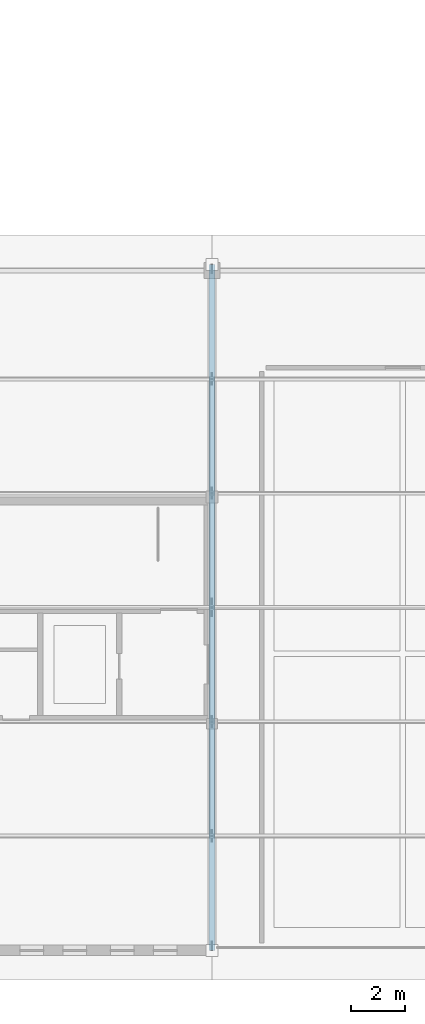
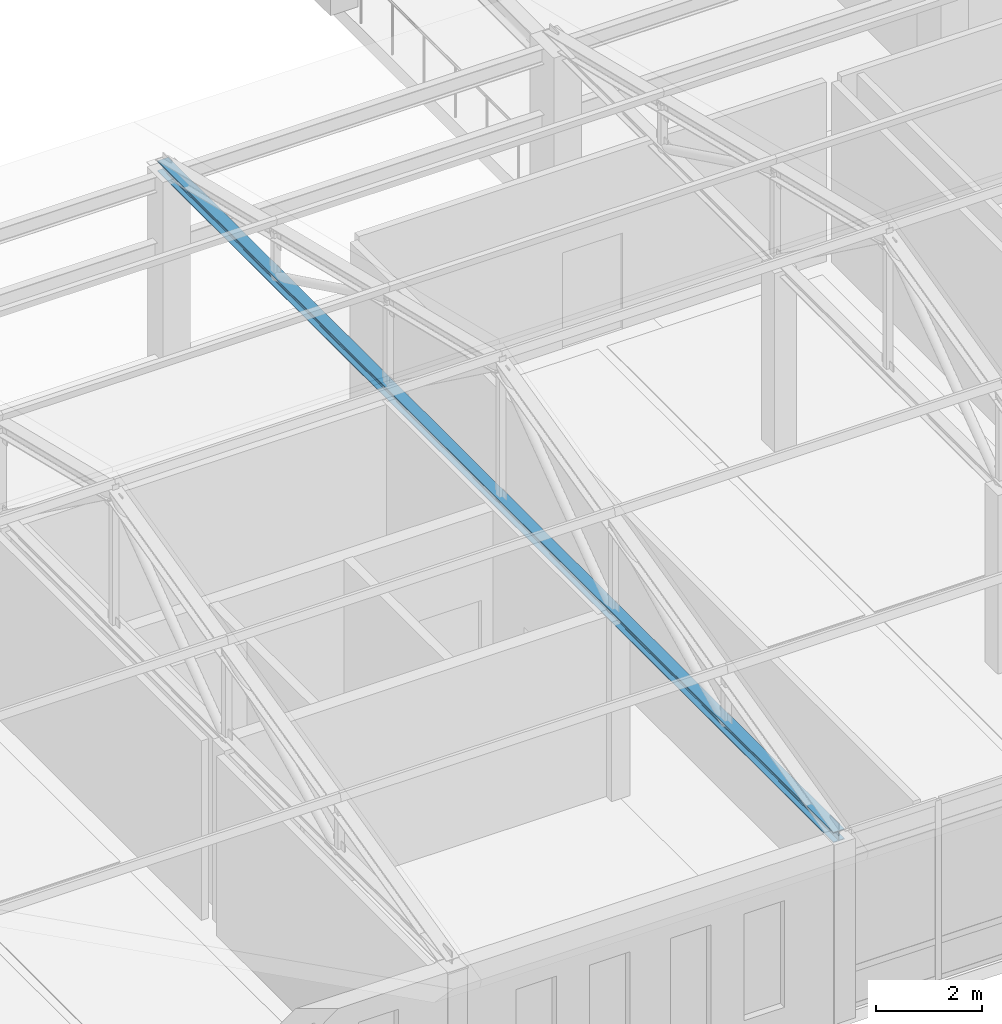
# One storey, part 19 of 192: 1 member.
"""IFC4 building model written with IfcOpenShell, lengths in metres."""

from ifc_helpers import new_model, si_unit, direction, frame, origin, origin_2d, place, context, subcontext, project, spatial, i_section, extrude, material, material_profile, profile_set, type_object, element, save


model = new_model("IFC4")

# Units and contexts
model_context = context("Model", 3, precision=1e-05, world=origin(), true_north=direction((0.0, 1.0)))
body_context = subcontext(model_context, "Body", "Model", "MODEL_VIEW")
ifc_project = project(units=[si_unit("LENGTHUNIT", "METRE"), si_unit("AREAUNIT", "SQUARE_METRE"), si_unit("VOLUMEUNIT", "CUBIC_METRE"), si_unit("PLANEANGLEUNIT", "RADIAN"), si_unit("MASSUNIT", "GRAM", prefix="KILO")], contexts=[model_context])

# Site, building, storey
site_placement = place(None, origin())
site = spatial("IfcSite", under=ifc_project, at=site_placement, CompositionType="ELEMENT")
building_placement = place(site_placement, origin())
building = spatial("IfcBuilding", under=site, at=building_placement, Name="Kveldsbrygga Polytechnic", CompositionType="ELEMENT")
storey_placement = place(building_placement, frame((0.0, 0.0, 5.43994140625)))
storey = spatial("IfcBuildingStorey", under=building, at=storey_placement, Name="L01", CompositionType="ELEMENT", Elevation=5.43994140625)

# Member
ifc_material = material(Name="Steel S355", Category="steel")
ifc_material_profile = material_profile(ifc_material, i_section(OverallWidth=0.239990234375, OverallDepth=0.239990234375, WebThickness=0.010009765625, FlangeThickness=0.01708984375, FilletRadius=0.02099609375, at=origin_2d()), Name="HEB 240")
ifc_profile_set = profile_set([ifc_material_profile], Name="Steel S355")
member_type = type_object("IfcMemberType", Name="TR-BOT-HEB240", PredefinedType="CHORD", material=ifc_profile_set)
member_placement = place(storey_placement, frame((16.800048828125, 0.0, 4.1201171875), z_axis=(0.0, 1.0, 0.0), x_axis=(-1.0, 0.0, 0.0)))
element("IfcMember", 1, at=member_placement, inside=storey, type_object=member_type, Name="Truss Bottom Chord V5S-T03-BC-1", PredefinedType="CHORD", context=body_context, shape_type="SweptSolid", body=[
    extrude(i_section(OverallWidth=0.239990234375, OverallDepth=0.239990234375, WebThickness=0.010009765625, FlangeThickness=0.01708984375, FilletRadius=0.02099609375, at=origin_2d()), origin(), (0.0, 0.0, 1.0), 25.419921875),
])

save(model, "model.ifc")
